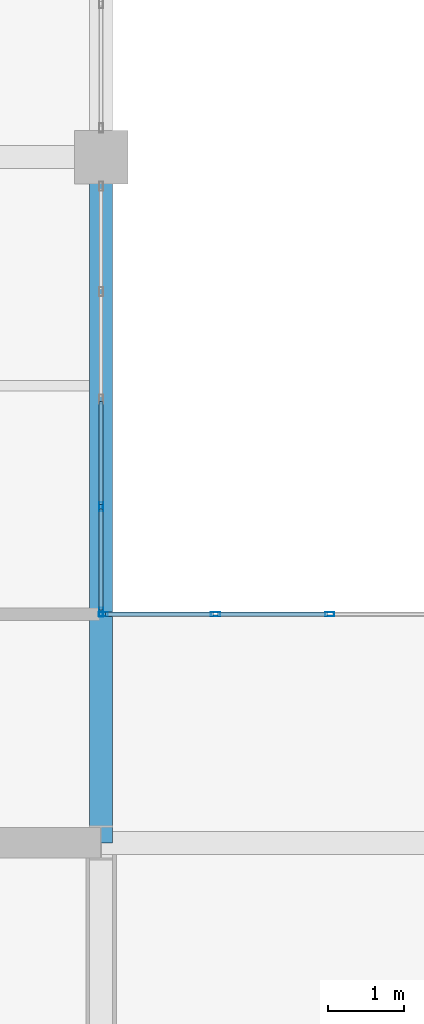
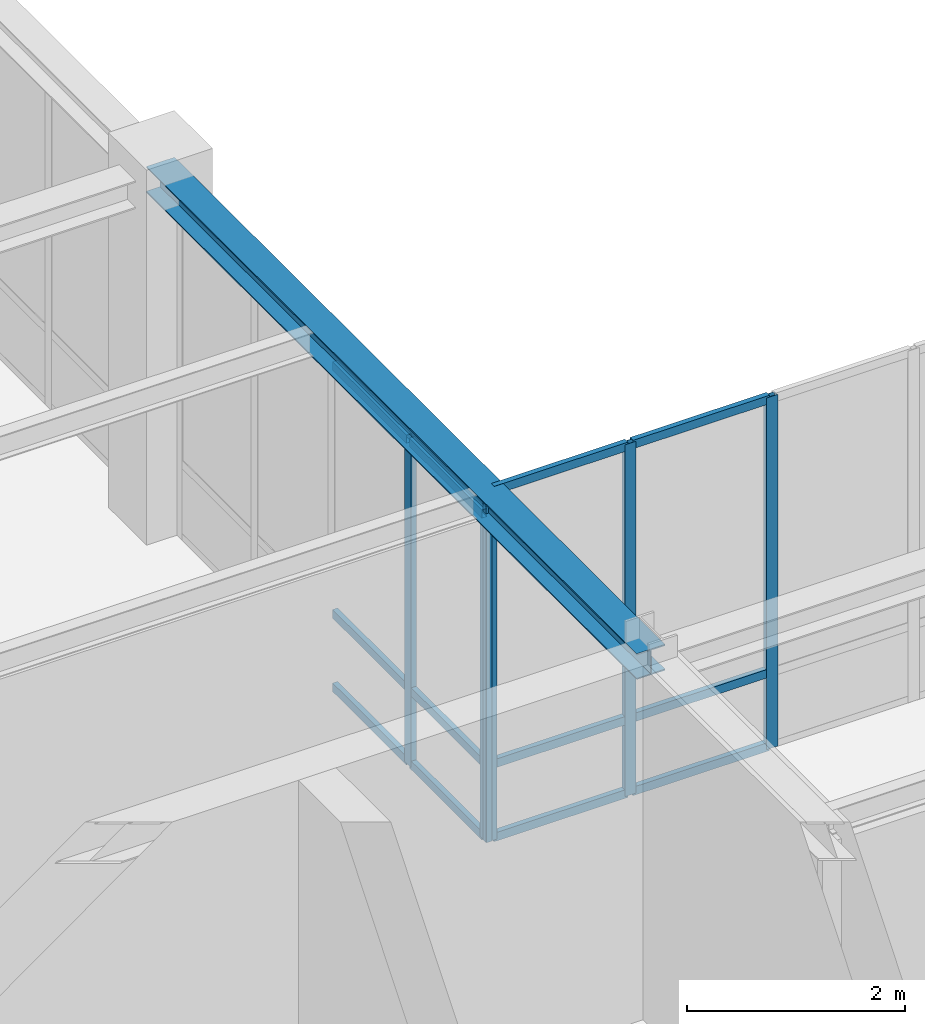
# One storey, part 19 of 130: 17 members, 1 beam, 2 elements without a shape of their own.
"""IFC4 building model written with IfcOpenShell, lengths in metres."""

from ifc_helpers import new_model, si_unit, direction, frame, origin, origin_2d, place, context, subcontext, project, spatial, hollow_rectangle, i_section, extrude, material, material_profile, profile_set, type_object, element, aggregate, save


model = new_model("IFC4")

# Units and contexts
model_context = context("Model", 3, precision=1e-05, world=origin(), true_north=direction((0.0, 1.0)))
body_context = subcontext(model_context, "Body", "Model", "MODEL_VIEW")
ifc_project = project(units=[si_unit("LENGTHUNIT", "METRE"), si_unit("AREAUNIT", "SQUARE_METRE"), si_unit("VOLUMEUNIT", "CUBIC_METRE"), si_unit("PLANEANGLEUNIT", "RADIAN"), si_unit("MASSUNIT", "GRAM", prefix="KILO")], contexts=[model_context])

# Site, building, storey
site_placement = place(None, origin())
site = spatial("IfcSite", under=ifc_project, at=site_placement, CompositionType="ELEMENT")
building_placement = place(site_placement, origin())
building = spatial("IfcBuilding", under=site, at=building_placement, Name="Lykobir Media Centre", CompositionType="ELEMENT")
storey_placement = place(building_placement, frame((0.0, 0.0, 19.199951171875)))
storey = spatial("IfcBuildingStorey", under=building, at=storey_placement, Name="L04", CompositionType="ELEMENT", Elevation=19.199951171875)

# Beam
ifc_material_1 = material(Name="Steel S355", Category="steel")
ifc_material_profile_1 = material_profile(ifc_material_1, i_section(OverallWidth=0.300048828125, OverallDepth=0.2900390625, WebThickness=0.008544921875, FlangeThickness=0.013916015625, at=origin_2d()), Name="HEA 300")
ifc_profile_set_1 = profile_set([ifc_material_profile_1], Name="Steel S355")
beam_type = type_object("IfcBeamType", Name="BM-HEA300", PredefinedType="BEAM", material=ifc_profile_set_1)
beam_placement = place(storey_placement, frame((36.0, 18.0, 3.81494140625), z_axis=(0.0, 1.0, 0.0), x_axis=(-1.0, 0.0, 0.0)))
element("IfcBeam", 1, at=beam_placement, inside=storey, type_object=beam_type, Name="Beam BM-L04-0360-0180-0360-0270-2302", PredefinedType="BEAM", context=body_context, shape_type="SweptSolid", body=[
    extrude(i_section(OverallWidth=0.300048828125, OverallDepth=0.2900390625, WebThickness=0.008544921875, FlangeThickness=0.013916015625, at=origin_2d()), origin(), (0.0, 0.0, 1.0), 9.0),
])

# Curtain wall, members
ifc_material_2 = material(Name="Anodized Aluminium AW-6060", Category="aluminium")
curtain_wall_type = type_object("IfcCurtainWallType", Name="CW-COURT-B", PredefinedType="NOTDEFINED", material=ifc_material_2)
curtain_wall_1_placement = place(storey_placement, origin())
curtain_wall_1 = element("IfcCurtainWall", 2, at=curtain_wall_1_placement, inside=storey, type_object=curtain_wall_type, Name="Curtain wall CW2-L04-0150", PredefinedType="NOTDEFINED")
ifc_material_profile_2 = material_profile(ifc_material_2, hollow_rectangle(XDim=0.054931640625, YDim=0.1201171875, WallThickness=0.003173828125, at=origin_2d()), Name="ALU MULLION 55x120")
ifc_profile_set_2 = profile_set([ifc_material_profile_2], Name="Anodized Aluminium AW-6060")
member_type_1 = type_object("IfcMemberType", Name="CWM-120", PredefinedType="MULLION", material=ifc_profile_set_2)
member_1_placement = place(storey_placement, frame((36.027587890625, 21.0, 0.0), z_axis=(0.0, 0.0, 1.0), x_axis=(0.0, 1.0, 0.0)))
member_1 = element("IfcMember", 3, at=member_1_placement, type_object=member_type_1, Name="CW2-L04-0150 mullion 1", PredefinedType="MULLION", context=body_context, shape_type="SweptSolid", body=[
    extrude(hollow_rectangle(XDim=0.054931640625, YDim=0.1201171875, WallThickness=0.003173828125, at=origin_2d()), origin(), (0.0, 0.0, 1.0), 3.93994140625),
])
member_2_placement = place(storey_placement, frame((37.5, 21.0, 0.0), z_axis=(0.0, 0.0, 1.0), x_axis=(0.0, 1.0, 0.0)))
member_2 = element("IfcMember", 4, at=member_2_placement, type_object=member_type_1, Name="CW2-L04-0150 mullion 2", PredefinedType="MULLION", context=body_context, shape_type="SweptSolid", body=[
    extrude(hollow_rectangle(XDim=0.054931640625, YDim=0.1201171875, WallThickness=0.003173828125, at=origin_2d()), origin(), (0.0, 0.0, 1.0), 3.93994140625),
])
member_3_placement = place(storey_placement, frame((39.0, 21.0, 0.0), z_axis=(0.0, 0.0, 1.0), x_axis=(0.0, 1.0, 0.0)))
member_3 = element("IfcMember", 5, at=member_3_placement, type_object=member_type_1, Name="CW2-L04-0150 mullion 3", PredefinedType="MULLION", context=body_context, shape_type="SweptSolid", body=[
    extrude(hollow_rectangle(XDim=0.054931640625, YDim=0.1201171875, WallThickness=0.003173828125, at=origin_2d()), origin(), (0.0, 0.0, 1.0), 3.93994140625),
])

curtain_wall_2_placement = place(storey_placement, origin())
curtain_wall_2 = element("IfcCurtainWall", 6, at=curtain_wall_2_placement, inside=storey, type_object=curtain_wall_type, Name="Curtain wall CW2-L04-0154", PredefinedType="NOTDEFINED")
member_4_placement = place(storey_placement, frame((36.0, 22.4111328125, 0.0), z_axis=(0.0, 0.0, 1.0), x_axis=(1.0, 0.0, 0.0)))
member_4 = element("IfcMember", 7, at=member_4_placement, type_object=member_type_1, Name="CW2-L04-0154 mullion 4", PredefinedType="MULLION", context=body_context, shape_type="SweptSolid", body=[
    extrude(hollow_rectangle(XDim=0.054931640625, YDim=0.1201171875, WallThickness=0.003173828125, at=origin_2d()), origin(), (0.0, 0.0, 1.0), 3.655029296875),
])
member_5_placement = place(storey_placement, frame((36.0, 21.027587890625, 0.0), z_axis=(0.0, 0.0, 1.0), x_axis=(1.0, 0.0, 0.0)))
member_5 = element("IfcMember", 8, at=member_5_placement, type_object=member_type_1, Name="CW2-L04-0154 mullion 5", PredefinedType="MULLION", context=body_context, shape_type="SweptSolid", body=[
    extrude(hollow_rectangle(XDim=0.054931640625, YDim=0.1201171875, WallThickness=0.003173828125, at=origin_2d()), origin(), (0.0, 0.0, 1.0), 3.655029296875),
])

# Member
ifc_material_profile_3 = material_profile(ifc_material_2, hollow_rectangle(XDim=0.054931640625, YDim=0.094970703125, WallThickness=0.0029296875, at=origin_2d()), Name="ALU TRANSOM 55x95")
ifc_profile_set_3 = profile_set([ifc_material_profile_3], Name="Anodized Aluminium AW-6060")
member_type_2 = type_object("IfcMemberType", Name="CWT-095", PredefinedType="USERDEFINED", material=ifc_profile_set_3)
member_6_placement = place(storey_placement, frame((36.054931640625, 21.0, 0.027587890625), z_axis=(1.0, 0.0, 0.0), x_axis=(0.0, 1.0, 0.0)))
member_6 = element("IfcMember", 9, at=member_6_placement, type_object=member_type_2, Name="CW2-L04-0150 transom 1.1", ObjectType="TRANSOM", PredefinedType="USERDEFINED", context=body_context, shape_type="SweptSolid", body=[
    extrude(hollow_rectangle(XDim=0.054931640625, YDim=0.094970703125, WallThickness=0.0029296875, at=origin_2d()), origin(), (0.0, 0.0, 1.0), 1.41748046875),
])

member_7_placement = place(storey_placement, frame((36.054931640625, 21.0, 0.85009765625), z_axis=(1.0, 0.0, 0.0), x_axis=(0.0, 1.0, 0.0)))
member_7 = element("IfcMember", 10, at=member_7_placement, type_object=member_type_2, Name="CW2-L04-0150 transom 1.2", ObjectType="TRANSOM", PredefinedType="USERDEFINED", context=body_context, shape_type="SweptSolid", body=[
    extrude(hollow_rectangle(XDim=0.054931640625, YDim=0.094970703125, WallThickness=0.0029296875, at=origin_2d()), origin(), (0.0, 0.0, 1.0), 1.41748046875),
])

member_8_placement = place(storey_placement, frame((36.054931640625, 21.0, 3.91259765625), z_axis=(1.0, 0.0, 0.0), x_axis=(0.0, 1.0, 0.0)))
member_8 = element("IfcMember", 11, at=member_8_placement, type_object=member_type_2, Name="CW2-L04-0150 transom 1.3", ObjectType="TRANSOM", PredefinedType="USERDEFINED", context=body_context, shape_type="SweptSolid", body=[
    extrude(hollow_rectangle(XDim=0.054931640625, YDim=0.094970703125, WallThickness=0.0029296875, at=origin_2d()), origin(), (0.0, 0.0, 1.0), 1.41748046875),
])

member_9_placement = place(storey_placement, frame((37.527587890625, 21.0, 0.027587890625), z_axis=(1.0, 0.0, 0.0), x_axis=(0.0, 1.0, 0.0)))
member_9 = element("IfcMember", 12, at=member_9_placement, type_object=member_type_2, Name="CW2-L04-0150 transom 2.1", ObjectType="TRANSOM", PredefinedType="USERDEFINED", context=body_context, shape_type="SweptSolid", body=[
    extrude(hollow_rectangle(XDim=0.054931640625, YDim=0.094970703125, WallThickness=0.0029296875, at=origin_2d()), origin(), (0.0, 0.0, 1.0), 1.44482421875),
])

member_10_placement = place(storey_placement, frame((37.527587890625, 21.0, 0.85009765625), z_axis=(1.0, 0.0, 0.0), x_axis=(0.0, 1.0, 0.0)))
member_10 = element("IfcMember", 13, at=member_10_placement, type_object=member_type_2, Name="CW2-L04-0150 transom 2.2", ObjectType="TRANSOM", PredefinedType="USERDEFINED", context=body_context, shape_type="SweptSolid", body=[
    extrude(hollow_rectangle(XDim=0.054931640625, YDim=0.094970703125, WallThickness=0.0029296875, at=origin_2d()), origin(), (0.0, 0.0, 1.0), 1.44482421875),
])

member_11_placement = place(storey_placement, frame((37.527587890625, 21.0, 3.91259765625), z_axis=(1.0, 0.0, 0.0), x_axis=(0.0, 1.0, 0.0)))
member_11 = element("IfcMember", 14, at=member_11_placement, type_object=member_type_2, Name="CW2-L04-0150 transom 2.3", ObjectType="TRANSOM", PredefinedType="USERDEFINED", context=body_context, shape_type="SweptSolid", body=[
    extrude(hollow_rectangle(XDim=0.054931640625, YDim=0.094970703125, WallThickness=0.0029296875, at=origin_2d()), origin(), (0.0, 0.0, 1.0), 1.44482421875),
])

aggregate(curtain_wall_1, [member_1, member_2, member_3, member_6, member_7, member_8, member_9, member_10, member_11])

member_12_placement = place(storey_placement, frame((36.0, 23.794921875, 0.027587890625), z_axis=(0.0, -1.0, 0.0), x_axis=(1.0, 0.0, 0.0)))
member_12 = element("IfcMember", 15, at=member_12_placement, type_object=member_type_2, Name="CW2-L04-0154 transom 3.1", ObjectType="TRANSOM", PredefinedType="USERDEFINED", context=body_context, shape_type="SweptSolid", body=[
    extrude(hollow_rectangle(XDim=0.054931640625, YDim=0.094970703125, WallThickness=0.0029296875, at=origin_2d()), origin(), (0.0, 0.0, 1.0), 1.356201171875),
])

member_13_placement = place(storey_placement, frame((36.0, 23.794921875, 0.85009765625), z_axis=(0.0, -1.0, 0.0), x_axis=(1.0, 0.0, 0.0)))
member_13 = element("IfcMember", 16, at=member_13_placement, type_object=member_type_2, Name="CW2-L04-0154 transom 3.2", ObjectType="TRANSOM", PredefinedType="USERDEFINED", context=body_context, shape_type="SweptSolid", body=[
    extrude(hollow_rectangle(XDim=0.054931640625, YDim=0.094970703125, WallThickness=0.0029296875, at=origin_2d()), origin(), (0.0, 0.0, 1.0), 1.356201171875),
])

member_14_placement = place(storey_placement, frame((36.0, 23.794921875, 3.62744140625), z_axis=(0.0, -1.0, 0.0), x_axis=(1.0, 0.0, 0.0)))
member_14 = element("IfcMember", 17, at=member_14_placement, type_object=member_type_2, Name="CW2-L04-0154 transom 3.3", ObjectType="TRANSOM", PredefinedType="USERDEFINED", context=body_context, shape_type="SweptSolid", body=[
    extrude(hollow_rectangle(XDim=0.054931640625, YDim=0.094970703125, WallThickness=0.0029296875, at=origin_2d()), origin(), (0.0, 0.0, 1.0), 1.356201171875),
])

member_15_placement = place(storey_placement, frame((36.0, 22.3837890625, 0.027587890625), z_axis=(0.0, -1.0, 0.0), x_axis=(1.0, 0.0, 0.0)))
member_15 = element("IfcMember", 18, at=member_15_placement, type_object=member_type_2, Name="CW2-L04-0154 transom 4.1", ObjectType="TRANSOM", PredefinedType="USERDEFINED", context=body_context, shape_type="SweptSolid", body=[
    extrude(hollow_rectangle(XDim=0.054931640625, YDim=0.094970703125, WallThickness=0.0029296875, at=origin_2d()), origin(), (0.0, 0.0, 1.0), 1.328857421875),
])

member_16_placement = place(storey_placement, frame((36.0, 22.3837890625, 0.85009765625), z_axis=(0.0, -1.0, 0.0), x_axis=(1.0, 0.0, 0.0)))
member_16 = element("IfcMember", 19, at=member_16_placement, type_object=member_type_2, Name="CW2-L04-0154 transom 4.2", ObjectType="TRANSOM", PredefinedType="USERDEFINED", context=body_context, shape_type="SweptSolid", body=[
    extrude(hollow_rectangle(XDim=0.054931640625, YDim=0.094970703125, WallThickness=0.0029296875, at=origin_2d()), origin(), (0.0, 0.0, 1.0), 1.328857421875),
])

member_17_placement = place(storey_placement, frame((36.0, 22.3837890625, 3.62744140625), z_axis=(0.0, -1.0, 0.0), x_axis=(1.0, 0.0, 0.0)))
member_17 = element("IfcMember", 20, at=member_17_placement, type_object=member_type_2, Name="CW2-L04-0154 transom 4.3", ObjectType="TRANSOM", PredefinedType="USERDEFINED", context=body_context, shape_type="SweptSolid", body=[
    extrude(hollow_rectangle(XDim=0.054931640625, YDim=0.094970703125, WallThickness=0.0029296875, at=origin_2d()), origin(), (0.0, 0.0, 1.0), 1.328857421875),
])

aggregate(curtain_wall_2, [member_4, member_5, member_12, member_13, member_14, member_15, member_16, member_17])

save(model, "model.ifc")
